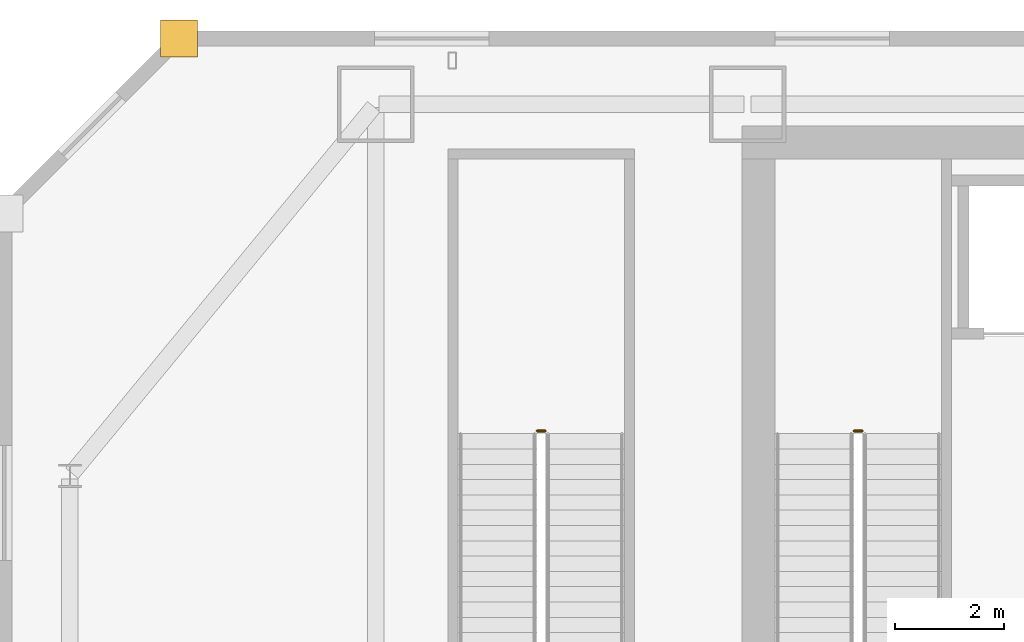
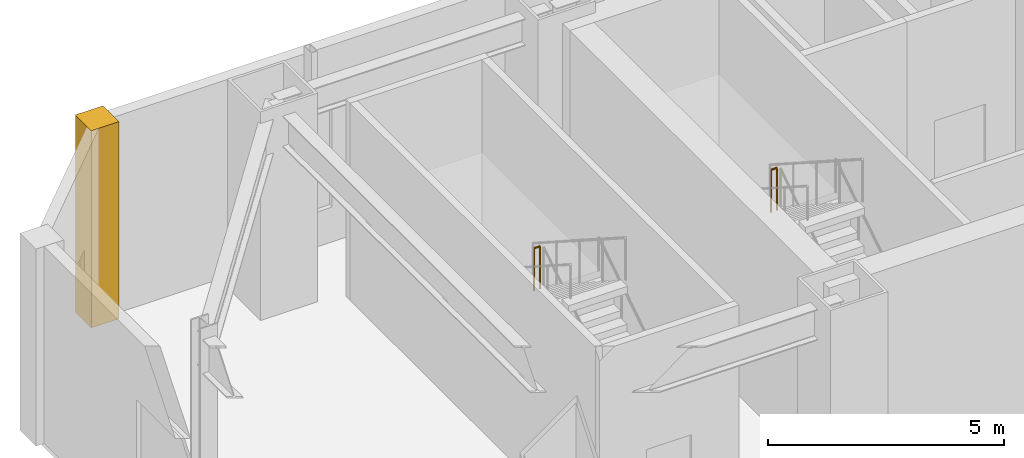
# One storey, part 48 of 52: 2 railings, 1 covering.
"""IFC4 building model written with IfcOpenShell, lengths in metres."""

import ifcopenshell
import ifcopenshell.guid

model = None  # the IFC model being written
_history = None  # IfcOwnerHistory: only IFC2X3 demands one
_inside = {}  # id of a spatial element -> (the spatial element, [elements in it])
_under = {}  # id of a project, library or spatial element -> (it, [spatial elements below it])
_declared = {}  # id of a project -> (the project, [libraries it declares])
_typed = {}  # id of a type object -> (the type object, [elements of that type])
_made_of = {}  # id of a material, layer set ... -> (it, [elements and type objects made of it])


def new_model(schema):
    """Start an empty IFC model of exactly this schema.

    Asked for "IFC4X3", IfcOpenShell would pick the latest addendum, in which some entities
    have other attributes; the version numbers below select the first issue.
    IFC2X3 requires an IfcOwnerHistory on every rooted entity: one is made here for all.
    """
    global model, _history
    if schema == "IFC4X3":
        model = ifcopenshell.file(schema_version=(4, 3, 0, 0))
    else:
        model = ifcopenshell.file(schema=schema)
    _inside.clear()
    _under.clear()
    _declared.clear()
    _typed.clear()
    _made_of.clear()
    _history = None
    if model.schema == "IFC2X3":
        org = make("IfcOrganization", Name="unknown")
        user = make(
            "IfcPersonAndOrganization",
            ThePerson=make("IfcPerson", FamilyName="unknown"),
            TheOrganization=org,
        )
        app = make(
            "IfcApplication",
            ApplicationDeveloper=org,
            Version="unknown",
            ApplicationFullName="unknown",
            ApplicationIdentifier="unknown",
        )
        _history = make(
            "IfcOwnerHistory",
            OwningUser=user,
            OwningApplication=app,
            ChangeAction="ADDED",
            CreationDate=0,
        )
    return model


def make(cls, **values):
    """One entity of the class cls with the attributes given. An attribute that is None is left unset."""
    return model.create_entity(
        cls, **{name: value for name, value in values.items() if value is not None}
    )


def rooted(cls, **values):
    """An entity with a GlobalId (a new one), such as an element, a storey or a relation."""
    return make(cls, GlobalId=ifcopenshell.guid.new(), OwnerHistory=_history, **values)


def si_unit(unit_type, name, prefix=None):
    """IfcSIUnit, for example si_unit("LENGTHUNIT", "METRE", prefix="MILLI")."""
    return make("IfcSIUnit", UnitType=unit_type, Prefix=prefix, Name=name)


def assignment(units):
    """IfcUnitAssignment: the units of a project."""
    return None if units is None else make("IfcUnitAssignment", Units=units)


def point(xyz):
    """IfcCartesianPoint."""
    return None if xyz is None else make("IfcCartesianPoint", Coordinates=xyz)


def direction(xyz):
    """IfcDirection."""
    return None if xyz is None else make("IfcDirection", DirectionRatios=xyz)


def frame(location, z_axis=None, x_axis=None):
    """IfcAxis2Placement3D, a coordinate frame: its origin and axes. An axis left out is left unset."""
    return make(
        "IfcAxis2Placement3D",
        Location=point(location),
        Axis=direction(z_axis),
        RefDirection=direction(x_axis),
    )


def frame_2d(location, x_axis=None):
    """IfcAxis2Placement2D, a coordinate frame in the plane: its origin and x axis."""
    return make(
        "IfcAxis2Placement2D", Location=point(location), RefDirection=direction(x_axis)
    )


def origin():
    """The frame at (0, 0, 0) with its axes left unset."""
    return frame((0.0, 0.0, 0.0))


def origin_2d():
    """The frame at (0, 0) in the plane with its x axis left unset."""
    return frame_2d((0.0, 0.0))


def place(relative_to, where):
    """IfcLocalPlacement: puts the frame where relative to a parent placement (None: the world)."""
    return make(
        "IfcLocalPlacement", PlacementRelTo=relative_to, RelativePlacement=where
    )


def context(
    kind, dimensions, precision=None, world=None, true_north=None, identifier=None
):
    """IfcGeometricRepresentationContext, for example the 3D "Model" context."""
    return make(
        "IfcGeometricRepresentationContext",
        ContextIdentifier=identifier,
        ContextType=kind,
        CoordinateSpaceDimension=dimensions,
        Precision=precision,
        WorldCoordinateSystem=world,
        TrueNorth=true_north,
    )


def subcontext(parent, identifier, kind, view, scale=None):
    """IfcGeometricRepresentationSubContext, for example "Body" below "Model"."""
    return make(
        "IfcGeometricRepresentationSubContext",
        ContextIdentifier=identifier,
        ContextType=kind,
        ParentContext=parent,
        TargetScale=scale,
        TargetView=view,
    )


def project(units=None, contexts=None):
    """IfcProject with its units and contexts."""
    return rooted(
        "IfcProject",
        Name="project",
        RepresentationContexts=contexts,
        UnitsInContext=assignment(units),
    )


def spatial(cls, under=None, at=None, **own):
    """A site, building, storey or space (cls), placed at a placement, below another one or the project."""
    s = rooted(cls, ObjectPlacement=at, **own)
    if under is not None:
        _under.setdefault(under.id(), (under, []))[1].append(s)
    return s


def polyline(points):
    """IfcPolyline through the points."""
    return make("IfcPolyline", Points=[point(p) for p in points])


def profile(cls, at=None, kind="AREA", **sizes):
    """A parametric profile (cls). Its sizes go by their IFC names, for example OverallWidth=200.0."""
    return make(cls, ProfileType=kind, Position=at, **sizes)


def circle(**sizes):
    """IfcCircleProfileDef."""
    return profile("IfcCircleProfileDef", **sizes)


def outline(outer, holes=None, kind="AREA"):
    """IfcArbitraryClosedProfileDef: a profile drawn as a closed curve; with holes, ...WithVoids."""
    if holes is None:
        return make("IfcArbitraryClosedProfileDef", ProfileType=kind, OuterCurve=outer)
    return make(
        "IfcArbitraryProfileDefWithVoids",
        ProfileType=kind,
        OuterCurve=outer,
        InnerCurves=holes,
    )


def extrude(swept, where, along, depth):
    """IfcExtrudedAreaSolid: the profile swept, set in the frame where, extruded along a direction by depth."""
    return make(
        "IfcExtrudedAreaSolid",
        SweptArea=swept,
        Position=where,
        ExtrudedDirection=direction(along),
        Depth=depth,
    )


def shape(context_of_items, identifier, shape_type, items):
    """IfcShapeRepresentation: the items that make up one representation, for example the "Body"."""
    return make(
        "IfcShapeRepresentation",
        ContextOfItems=context_of_items,
        RepresentationIdentifier=identifier,
        RepresentationType=shape_type,
        Items=items,
    )


def material(Name=None, Category=None):
    """IfcMaterial."""
    return make("IfcMaterial", Name=Name, Category=Category)


def layer(
    of_material, thickness, ventilated=None, Name=None, Category=None, Priority=None
):
    """IfcMaterialLayer: one layer of a wall or slab, of a material (None: an air gap)."""
    return make(
        "IfcMaterialLayer",
        Material=of_material,
        LayerThickness=thickness,
        IsVentilated=ventilated,
        Name=Name,
        Category=Category,
        Priority=Priority,
    )


def layer_set(layers, Name=None):
    """IfcMaterialLayerSet."""
    return make("IfcMaterialLayerSet", MaterialLayers=layers, LayerSetName=Name)


def made_of(thing, what):
    """Note that an element or type object is made of a material, layer set ...; save() writes the relation."""
    if what is not None:
        _made_of.setdefault(what.id(), (what, []))[1].append(thing)
    return thing


def type_object(cls, material=None, **own):
    """A type object (cls), such as IfcWallType, which elements share."""
    return made_of(rooted(cls, **own), material)


def element(
    cls,
    number,
    at=None,
    inside=None,
    cuts=None,
    type_object=None,
    material=None,
    context=None,
    identifier="Body",
    shape_type=None,
    held_by="IfcProductDefinitionShape",
    body=None,
    shapes=None,
    **own,
):
    """One element of the class cls, such as IfcWall. Its Tag is "e" and its number.

    at: its placement. inside: the storey or other place that contains it. cuts: it is an
    opening in that element (IfcRelVoidsElement). A single representation is given by context,
    identifier, shape_type and body (its items); several are given by shapes. held_by: the class
    of the entity that holds the representations. save() writes the other relations.
    """
    e = rooted(cls, Tag="e%d" % number, ObjectPlacement=at, **own)
    if body is not None:
        shapes = [shape(context, identifier, shape_type, body)]
    if shapes is not None:
        e.Representation = make(held_by, Representations=shapes)
    if inside is not None:
        _inside.setdefault(inside.id(), (inside, []))[1].append(e)
    if cuts is not None:
        rooted(
            "IfcRelVoidsElement", RelatingBuildingElement=cuts, RelatedOpeningElement=e
        )
    if type_object is not None:
        _typed.setdefault(type_object.id(), (type_object, []))[1].append(e)
    return made_of(e, material)


def aggregate(whole, parts):
    """IfcRelAggregates: a whole, such as a stair, and the parts it consists of."""
    return rooted("IfcRelAggregates", RelatingObject=whole, RelatedObjects=parts)


def save(model, path):
    """Write the relations noted so far, then the file.

    IfcRelAggregates (storeys below a building ...), IfcRelContainedInSpatialStructure (elements
    in a storey), IfcRelDefinesByType, IfcRelAssociatesMaterial and IfcRelDeclares: one each for
    every whole, place, type object, material and project.
    """
    for whole, parts in _under.values():
        aggregate(whole, parts)
    for where, things in _inside.values():
        rooted(
            "IfcRelContainedInSpatialStructure",
            RelatedElements=things,
            RelatingStructure=where,
        )
    for kind, things in _typed.values():
        rooted("IfcRelDefinesByType", RelatedObjects=things, RelatingType=kind)
    for what, things in _made_of.values():
        rooted("IfcRelAssociatesMaterial", RelatedObjects=things, RelatingMaterial=what)
    for by, libraries in _declared.values():
        rooted("IfcRelDeclares", RelatingContext=by, RelatedDefinitions=libraries)
    model.write(path)


model = new_model("IFC4")

# Units and contexts
model_context = context("Model", 3, precision=1e-05, world=origin(), true_north=direction((0.0, 1.0)))
body_context = subcontext(model_context, "Body", "Model", "MODEL_VIEW")
ifc_project = project(units=[si_unit("LENGTHUNIT", "METRE"), si_unit("AREAUNIT", "SQUARE_METRE"), si_unit("VOLUMEUNIT", "CUBIC_METRE"), si_unit("PLANEANGLEUNIT", "RADIAN"), si_unit("MASSUNIT", "GRAM", prefix="KILO")], contexts=[model_context])

# Site, building, storey
site_placement = place(None, origin())
site = spatial("IfcSite", under=ifc_project, at=site_placement, CompositionType="ELEMENT")
building_placement = place(site_placement, origin())
building = spatial("IfcBuilding", under=site, at=building_placement, Name="Saevonmaru Cultural Tower", CompositionType="ELEMENT")
storey_placement = place(building_placement, frame((0.0, 0.0, 16.800048828125)))
storey = spatial("IfcBuildingStorey", under=building, at=storey_placement, Name="L03", CompositionType="ELEMENT", Elevation=16.800048828125)

# Covering
ifc_material_1 = material(Name="Satin Bronze Anodised Aluminium", Category="aluminium")
ifc_layer = layer(ifc_material_1, 0.679931640625, Name="Satin Bronze Anodised Aluminium")
ifc_layer_set = layer_set([ifc_layer], Name="Satin Bronze Anodised Aluminium")
covering_type = type_object("IfcCoveringType", Name="CV-CORNER-CLAD", PredefinedType="CLADDING", material=ifc_layer_set)
covering_placement = place(storey_placement, origin())
element("IfcCovering", 1, at=covering_placement, inside=storey, type_object=covering_type, Name="L03 Podium Bronze Corner Cladding Pier 7", PredefinedType="CLADDING", context=body_context, shape_type="SweptSolid", body=[
    extrude(outline(polyline([(2.860107421875, 55.659912109375), (3.5400390625, 55.659912109375), (3.5400390625, 56.340087890625), (2.860107421875, 56.340087890625), (2.860107421875, 55.659912109375)])), origin(), (0.0, 0.0, 1.0), 5.099853515625),
])

# Railings
ifc_material_2 = material(Name="Architectural Painted Steel", Category="steel")
railing_type = type_object("IfcRailingType", Name="RL-STAIR-GUARD", PredefinedType="GUARDRAIL", material=ifc_material_2)
for number, where, name in (
    (2, (15.699951171875, 48.820068359375, 2.699951171875), "L03 ST-1 stair guard 2"),
    (3, (9.89990234375, 48.820068359375, 2.699951171875), "L03 ST-3 stair guard 2"),
):
    element("IfcRailing", number, at=place(storey_placement, frame(where)), inside=storey, type_object=railing_type, Name=name, PredefinedType="GUARDRAIL", context=body_context, shape_type="SweptSolid", body=[
        extrude(circle(Radius=0.02392578125, at=origin_2d()), frame((0.0, 0.0, 1.09619140625), z_axis=(-1.0, 0.0, 0.0), x_axis=(0.0, -1.0, 0.0)), (0.0, 0.0, 1.0), 0.14990234375),
        extrude(circle(Radius=0.02099609375, at=origin_2d()), origin(), (0.0, 0.0, 1.0), 1.072021484375),
        extrude(circle(Radius=0.02099609375, at=origin_2d()), frame((-0.14990234375, 0.0, 0.0)), (0.0, 0.0, 1.0), 1.072021484375),
    ])

save(model, "model.ifc")
